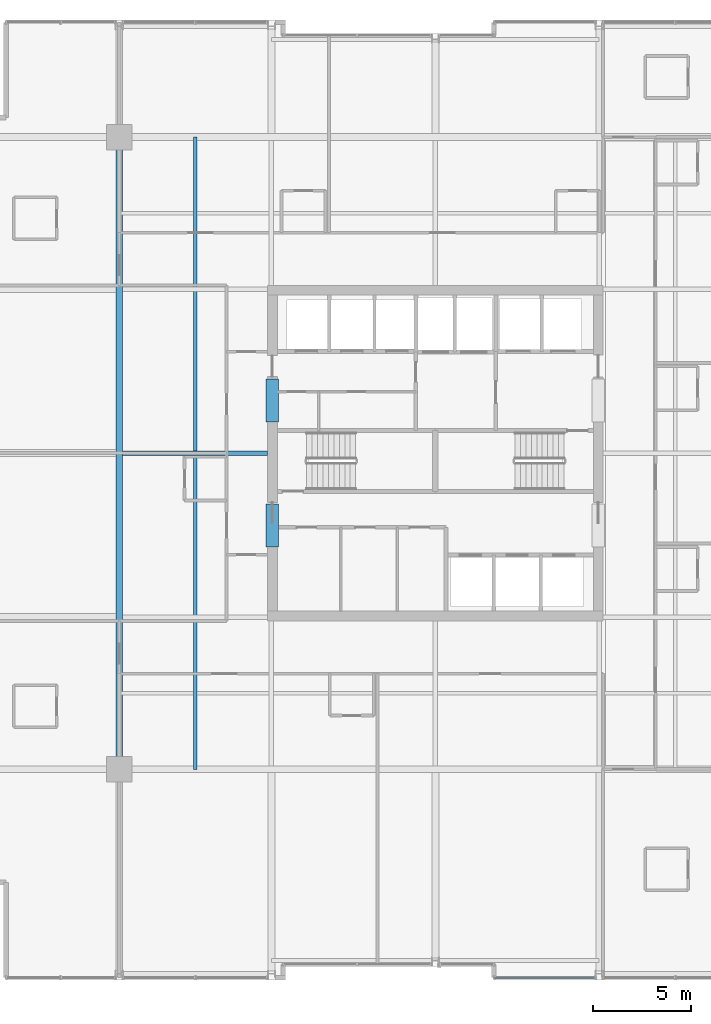
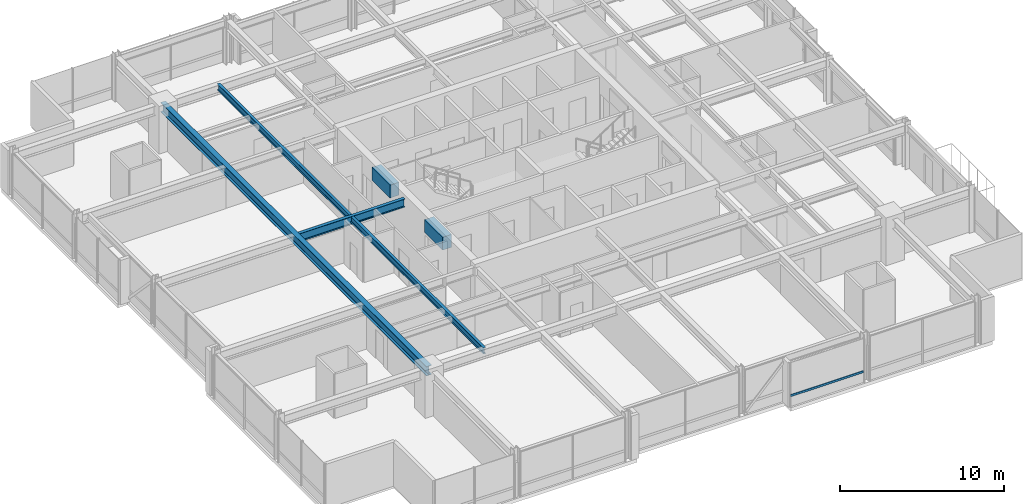
# One storey, part 10 of 33: 5 beams, 1 member, 1 element without a shape of its own.
"""IFC4 building model written with IfcOpenShell, lengths in metres."""

import ifcopenshell
import ifcopenshell.guid

model = None  # the IFC model being written
_history = None  # IfcOwnerHistory: only IFC2X3 demands one
_inside = {}  # id of a spatial element -> (the spatial element, [elements in it])
_under = {}  # id of a project, library or spatial element -> (it, [spatial elements below it])
_declared = {}  # id of a project -> (the project, [libraries it declares])
_typed = {}  # id of a type object -> (the type object, [elements of that type])
_made_of = {}  # id of a material, layer set ... -> (it, [elements and type objects made of it])


def new_model(schema):
    """Start an empty IFC model of exactly this schema.

    Asked for "IFC4X3", IfcOpenShell would pick the latest addendum, in which some entities
    have other attributes; the version numbers below select the first issue.
    IFC2X3 requires an IfcOwnerHistory on every rooted entity: one is made here for all.
    """
    global model, _history
    if schema == "IFC4X3":
        model = ifcopenshell.file(schema_version=(4, 3, 0, 0))
    else:
        model = ifcopenshell.file(schema=schema)
    _inside.clear()
    _under.clear()
    _declared.clear()
    _typed.clear()
    _made_of.clear()
    _history = None
    if model.schema == "IFC2X3":
        org = make("IfcOrganization", Name="unknown")
        user = make(
            "IfcPersonAndOrganization",
            ThePerson=make("IfcPerson", FamilyName="unknown"),
            TheOrganization=org,
        )
        app = make(
            "IfcApplication",
            ApplicationDeveloper=org,
            Version="unknown",
            ApplicationFullName="unknown",
            ApplicationIdentifier="unknown",
        )
        _history = make(
            "IfcOwnerHistory",
            OwningUser=user,
            OwningApplication=app,
            ChangeAction="ADDED",
            CreationDate=0,
        )
    return model


def make(cls, **values):
    """One entity of the class cls with the attributes given. An attribute that is None is left unset."""
    return model.create_entity(
        cls, **{name: value for name, value in values.items() if value is not None}
    )


def rooted(cls, **values):
    """An entity with a GlobalId (a new one), such as an element, a storey or a relation."""
    return make(cls, GlobalId=ifcopenshell.guid.new(), OwnerHistory=_history, **values)


def si_unit(unit_type, name, prefix=None):
    """IfcSIUnit, for example si_unit("LENGTHUNIT", "METRE", prefix="MILLI")."""
    return make("IfcSIUnit", UnitType=unit_type, Prefix=prefix, Name=name)


def assignment(units):
    """IfcUnitAssignment: the units of a project."""
    return None if units is None else make("IfcUnitAssignment", Units=units)


def point(xyz):
    """IfcCartesianPoint."""
    return None if xyz is None else make("IfcCartesianPoint", Coordinates=xyz)


def direction(xyz):
    """IfcDirection."""
    return None if xyz is None else make("IfcDirection", DirectionRatios=xyz)


def frame(location, z_axis=None, x_axis=None):
    """IfcAxis2Placement3D, a coordinate frame: its origin and axes. An axis left out is left unset."""
    return make(
        "IfcAxis2Placement3D",
        Location=point(location),
        Axis=direction(z_axis),
        RefDirection=direction(x_axis),
    )


def frame_2d(location, x_axis=None):
    """IfcAxis2Placement2D, a coordinate frame in the plane: its origin and x axis."""
    return make(
        "IfcAxis2Placement2D", Location=point(location), RefDirection=direction(x_axis)
    )


def origin():
    """The frame at (0, 0, 0) with its axes left unset."""
    return frame((0.0, 0.0, 0.0))


def origin_2d():
    """The frame at (0, 0) in the plane with its x axis left unset."""
    return frame_2d((0.0, 0.0))


def place(relative_to, where):
    """IfcLocalPlacement: puts the frame where relative to a parent placement (None: the world)."""
    return make(
        "IfcLocalPlacement", PlacementRelTo=relative_to, RelativePlacement=where
    )


def context(
    kind, dimensions, precision=None, world=None, true_north=None, identifier=None
):
    """IfcGeometricRepresentationContext, for example the 3D "Model" context."""
    return make(
        "IfcGeometricRepresentationContext",
        ContextIdentifier=identifier,
        ContextType=kind,
        CoordinateSpaceDimension=dimensions,
        Precision=precision,
        WorldCoordinateSystem=world,
        TrueNorth=true_north,
    )


def subcontext(parent, identifier, kind, view, scale=None):
    """IfcGeometricRepresentationSubContext, for example "Body" below "Model"."""
    return make(
        "IfcGeometricRepresentationSubContext",
        ContextIdentifier=identifier,
        ContextType=kind,
        ParentContext=parent,
        TargetScale=scale,
        TargetView=view,
    )


def project(units=None, contexts=None):
    """IfcProject with its units and contexts."""
    return rooted(
        "IfcProject",
        Name="project",
        RepresentationContexts=contexts,
        UnitsInContext=assignment(units),
    )


def spatial(cls, under=None, at=None, **own):
    """A site, building, storey or space (cls), placed at a placement, below another one or the project."""
    s = rooted(cls, ObjectPlacement=at, **own)
    if under is not None:
        _under.setdefault(under.id(), (under, []))[1].append(s)
    return s


def profile(cls, at=None, kind="AREA", **sizes):
    """A parametric profile (cls). Its sizes go by their IFC names, for example OverallWidth=200.0."""
    return make(cls, ProfileType=kind, Position=at, **sizes)


def rectangle(**sizes):
    """IfcRectangleProfileDef."""
    return profile("IfcRectangleProfileDef", **sizes)


def hollow_rectangle(**sizes):
    """IfcRectangleHollowProfileDef."""
    return profile("IfcRectangleHollowProfileDef", **sizes)


def i_section(**sizes):
    """IfcIShapeProfileDef."""
    return profile("IfcIShapeProfileDef", **sizes)


def extrude(swept, where, along, depth):
    """IfcExtrudedAreaSolid: the profile swept, set in the frame where, extruded along a direction by depth."""
    return make(
        "IfcExtrudedAreaSolid",
        SweptArea=swept,
        Position=where,
        ExtrudedDirection=direction(along),
        Depth=depth,
    )


def shape(context_of_items, identifier, shape_type, items):
    """IfcShapeRepresentation: the items that make up one representation, for example the "Body"."""
    return make(
        "IfcShapeRepresentation",
        ContextOfItems=context_of_items,
        RepresentationIdentifier=identifier,
        RepresentationType=shape_type,
        Items=items,
    )


def material(Name=None, Category=None):
    """IfcMaterial."""
    return make("IfcMaterial", Name=Name, Category=Category)


def layer(
    of_material, thickness, ventilated=None, Name=None, Category=None, Priority=None
):
    """IfcMaterialLayer: one layer of a wall or slab, of a material (None: an air gap)."""
    return make(
        "IfcMaterialLayer",
        Material=of_material,
        LayerThickness=thickness,
        IsVentilated=ventilated,
        Name=Name,
        Category=Category,
        Priority=Priority,
    )


def layer_set(layers, Name=None):
    """IfcMaterialLayerSet."""
    return make("IfcMaterialLayerSet", MaterialLayers=layers, LayerSetName=Name)


def material_profile(
    of_material, cross_section, Name=None, Category=None, Priority=None
):
    """IfcMaterialProfile: a cross section and its material."""
    return make(
        "IfcMaterialProfile",
        Name=Name,
        Material=of_material,
        Profile=cross_section,
        Priority=Priority,
        Category=Category,
    )


def profile_set(profiles, Name=None, composite=None):
    """IfcMaterialProfileSet."""
    return make(
        "IfcMaterialProfileSet",
        Name=Name,
        MaterialProfiles=profiles,
        CompositeProfile=composite,
    )


def made_of(thing, what):
    """Note that an element or type object is made of a material, layer set ...; save() writes the relation."""
    if what is not None:
        _made_of.setdefault(what.id(), (what, []))[1].append(thing)
    return thing


def type_object(cls, material=None, **own):
    """A type object (cls), such as IfcWallType, which elements share."""
    return made_of(rooted(cls, **own), material)


def element(
    cls,
    number,
    at=None,
    inside=None,
    cuts=None,
    type_object=None,
    material=None,
    context=None,
    identifier="Body",
    shape_type=None,
    held_by="IfcProductDefinitionShape",
    body=None,
    shapes=None,
    **own,
):
    """One element of the class cls, such as IfcWall. Its Tag is "e" and its number.

    at: its placement. inside: the storey or other place that contains it. cuts: it is an
    opening in that element (IfcRelVoidsElement). A single representation is given by context,
    identifier, shape_type and body (its items); several are given by shapes. held_by: the class
    of the entity that holds the representations. save() writes the other relations.
    """
    e = rooted(cls, Tag="e%d" % number, ObjectPlacement=at, **own)
    if body is not None:
        shapes = [shape(context, identifier, shape_type, body)]
    if shapes is not None:
        e.Representation = make(held_by, Representations=shapes)
    if inside is not None:
        _inside.setdefault(inside.id(), (inside, []))[1].append(e)
    if cuts is not None:
        rooted(
            "IfcRelVoidsElement", RelatingBuildingElement=cuts, RelatedOpeningElement=e
        )
    if type_object is not None:
        _typed.setdefault(type_object.id(), (type_object, []))[1].append(e)
    return made_of(e, material)


def aggregate(whole, parts):
    """IfcRelAggregates: a whole, such as a stair, and the parts it consists of."""
    return rooted("IfcRelAggregates", RelatingObject=whole, RelatedObjects=parts)


def save(model, path):
    """Write the relations noted so far, then the file.

    IfcRelAggregates (storeys below a building ...), IfcRelContainedInSpatialStructure (elements
    in a storey), IfcRelDefinesByType, IfcRelAssociatesMaterial and IfcRelDeclares: one each for
    every whole, place, type object, material and project.
    """
    for whole, parts in _under.values():
        aggregate(whole, parts)
    for where, things in _inside.values():
        rooted(
            "IfcRelContainedInSpatialStructure",
            RelatedElements=things,
            RelatingStructure=where,
        )
    for kind, things in _typed.values():
        rooted("IfcRelDefinesByType", RelatedObjects=things, RelatingType=kind)
    for what, things in _made_of.values():
        rooted("IfcRelAssociatesMaterial", RelatedObjects=things, RelatingMaterial=what)
    for by, libraries in _declared.values():
        rooted("IfcRelDeclares", RelatingContext=by, RelatedDefinitions=libraries)
    model.write(path)


model = new_model("IFC4")

# Units and contexts
model_context = context("Model", 3, precision=1e-05, world=origin(), true_north=direction((0.0, 1.0)))
body_context = subcontext(model_context, "Body", "Model", "MODEL_VIEW")
ifc_project = project(units=[si_unit("LENGTHUNIT", "METRE"), si_unit("AREAUNIT", "SQUARE_METRE"), si_unit("VOLUMEUNIT", "CUBIC_METRE"), si_unit("PLANEANGLEUNIT", "RADIAN"), si_unit("MASSUNIT", "GRAM", prefix="KILO")], contexts=[model_context])

# Site, building, storey
site_placement = place(None, origin())
site = spatial("IfcSite", under=ifc_project, at=site_placement, CompositionType="ELEMENT")
building_placement = place(site_placement, origin())
building = spatial("IfcBuilding", under=site, at=building_placement, Name="Drelvath Grand Hotel", CompositionType="ELEMENT")
storey_placement = place(building_placement, frame((0.0, 0.0, 168.14990234375)))
storey = spatial("IfcBuildingStorey", under=building, at=storey_placement, Name="L43", CompositionType="ELEMENT", Elevation=168.14990234375)

# Beams
ifc_material_1 = material(Name="Steel ASTM A992 Gr 50", Category="steel")
ifc_material_profile_1 = material_profile(ifc_material_1, i_section(OverallWidth=0.19140625, OverallDepth=0.4599609375, WebThickness=0.010009765625, FlangeThickness=0.01611328125, FilletRadius=0.01611328125, at=origin_2d()), Name="W18X55")
ifc_profile_set_1 = profile_set([ifc_material_profile_1], Name="Steel ASTM A992 Gr 50")
beam_type_1 = type_object("IfcBeamType", Name="Composite Floor Joist W18X55", PredefinedType="JOIST", material=ifc_profile_set_1)
beam_1_placement = place(storey_placement, frame((-12.300048828125, 10.800048828125, 3.06005859375), z_axis=(0.0, 1.0, 0.0), x_axis=(-1.0, 0.0, 0.0)))
element("IfcBeam", 1, at=beam_1_placement, inside=storey, type_object=beam_type_1, Name="L43 Wing Floor Joist J3", PredefinedType="JOIST", context=body_context, shape_type="SweptSolid", body=[
    extrude(i_section(OverallWidth=0.19140625, OverallDepth=0.4599609375, WebThickness=0.010009765625, FlangeThickness=0.01611328125, FilletRadius=0.01611328125, at=origin_2d()), origin(), (0.0, 0.0, 1.0), 32.39990234375),
])
ifc_material_2 = material(Name="Concrete f'c 55 MPa", Category="concrete")
ifc_material_profile_2 = material_profile(ifc_material_2, rectangle(XDim=0.64990234375, YDim=0.949951171875, at=origin_2d()), Name="CB650X950")
ifc_profile_set_2 = profile_set([ifc_material_profile_2], Name="Concrete f'c 55 MPa")
beam_type_2 = type_object("IfcBeamType", Name="Core Coupling Lintel CB650X950", PredefinedType="LINTEL", material=ifc_profile_set_2)
for number, where, z_axis, x_axis, name in (
    (2, (-8.35009765625, 22.199951171875, 2.815185546875), (0.0, 1.0, 0.0), (-1.0, 0.0, 0.0), "L43 Core Coupling Lintel WS"),
    (3, (-8.35009765625, 28.60009765625, 2.815185546875), (0.0, 1.0, 0.0), (-1.0, 0.0, 0.0), "L43 Core Coupling Lintel WN"),
):
    element("IfcBeam", number, at=place(storey_placement, frame(where, z_axis=z_axis, x_axis=x_axis)), inside=storey, type_object=beam_type_2, Name=name, PredefinedType="LINTEL", context=body_context, shape_type="SweptSolid", body=[
        extrude(rectangle(XDim=0.64990234375, YDim=0.949951171875, at=origin_2d()), origin(), (0.0, 0.0, 1.0), 2.199951171875),
    ])

# Curtain wall, member
ifc_material_3 = material(Name="Brushed Pale-Silver Anodised Aluminium Frame", Category="aluminium")
ifc_layer = layer(ifc_material_3, 0.199951171875)
ifc_layer_set = layer_set([ifc_layer], Name="Brushed Pale-Silver Anodised Aluminium Frame")
curtain_wall_type = type_object("IfcCurtainWallType", Name="Stick Curtain Wall CW-04 Brushed Silver Upper-Mid", PredefinedType="NOTDEFINED", material=ifc_layer_set)
curtain_wall_placement = place(storey_placement, origin())
curtain_wall = element("IfcCurtainWall", 4, at=curtain_wall_placement, inside=storey, type_object=curtain_wall_type, Name="L43 CW-04 Curtain Wall CW04-L43-SE1", PredefinedType="NOTDEFINED")
ifc_material_profile_3 = material_profile(ifc_material_3, hollow_rectangle(XDim=0.06494140625, YDim=0.159912109375, WallThickness=0.00390625, at=origin_2d()), Name="HSS160X65X4")
ifc_profile_set_3 = profile_set([ifc_material_profile_3], Name="Brushed Pale-Silver Anodised Aluminium Frame")
member_type = type_object("IfcMemberType", Name="Curtain Wall Horizontal Transom CW-04 HSS160X65X4", PredefinedType="USERDEFINED", material=ifc_profile_set_3)
member_placement = place(storey_placement, frame((8.159912109375, 0.1201171875, 0.822509765625), z_axis=(-1.0, 0.0, 0.0), x_axis=(0.0, -1.0, 0.0)))
member = element("IfcMember", 5, at=member_placement, type_object=member_type, Name="CW04-L43-SE1 Sill Transom", ObjectType="TRANSOM", PredefinedType="USERDEFINED", context=body_context, shape_type="SweptSolid", body=[
    extrude(hollow_rectangle(XDim=0.06494140625, YDim=0.159912109375, WallThickness=0.00390625, at=origin_2d()), origin(), (0.0, 0.0, 1.0), 5.119873046875),
])
aggregate(curtain_wall, [member])

# Beams
ifc_material_profile_4 = material_profile(ifc_material_1, i_section(OverallWidth=0.228271484375, OverallDepth=0.607666015625, WebThickness=0.01123046875, FlangeThickness=0.017333984375, FilletRadius=0.02001953125, at=origin_2d()), Name="W24X76")
ifc_profile_set_4 = profile_set([ifc_material_profile_4], Name="Steel ASTM A992 Gr 50")
beam_type_3 = type_object("IfcBeamType", Name="Primary Floor Girder W24X76", PredefinedType="BEAM", material=ifc_profile_set_4)
beam_2_placement = place(storey_placement, frame((-16.022705078125, 27.0, 2.986328125), z_axis=(1.0, 0.0, 0.0), x_axis=(0.0, 1.0, 0.0)))
element("IfcBeam", 6, at=beam_2_placement, inside=storey, type_object=beam_type_3, Name="L43 West Core Tie E", PredefinedType="BEAM", context=body_context, shape_type="SweptSolid", body=[
    extrude(i_section(OverallWidth=0.228271484375, OverallDepth=0.607666015625, WebThickness=0.01123046875, FlangeThickness=0.017333984375, FilletRadius=0.02001953125, at=origin_2d()), origin(), (0.0, 0.0, 1.0), 7.422607421875),
])
ifc_material_profile_5 = material_profile(ifc_material_1, i_section(OverallWidth=0.354736328125, OverallDepth=0.695556640625, WebThickness=0.015380859375, FlangeThickness=0.025146484375, FilletRadius=0.02392578125, at=origin_2d()), Name="W27X146")
ifc_profile_set_5 = profile_set([ifc_material_profile_5], Name="Steel ASTM A992 Gr 50")
beam_type_4 = type_object("IfcBeamType", Name="Primary Floor Girder W27X146", PredefinedType="BEAM", material=ifc_profile_set_5)
beam_3_placement = place(storey_placement, frame((-16.199951171875, 10.800048828125, 2.9423828125), z_axis=(0.0, 1.0, 0.0), x_axis=(-1.0, 0.0, 0.0)))
element("IfcBeam", 7, at=beam_3_placement, inside=storey, type_object=beam_type_4, Name="L43 Mega Ring Girder West", PredefinedType="BEAM", context=body_context, shape_type="SweptSolid", body=[
    extrude(i_section(OverallWidth=0.354736328125, OverallDepth=0.695556640625, WebThickness=0.015380859375, FlangeThickness=0.025146484375, FilletRadius=0.02392578125, at=origin_2d()), origin(), (0.0, 0.0, 1.0), 32.39990234375),
])

save(model, "model.ifc")
